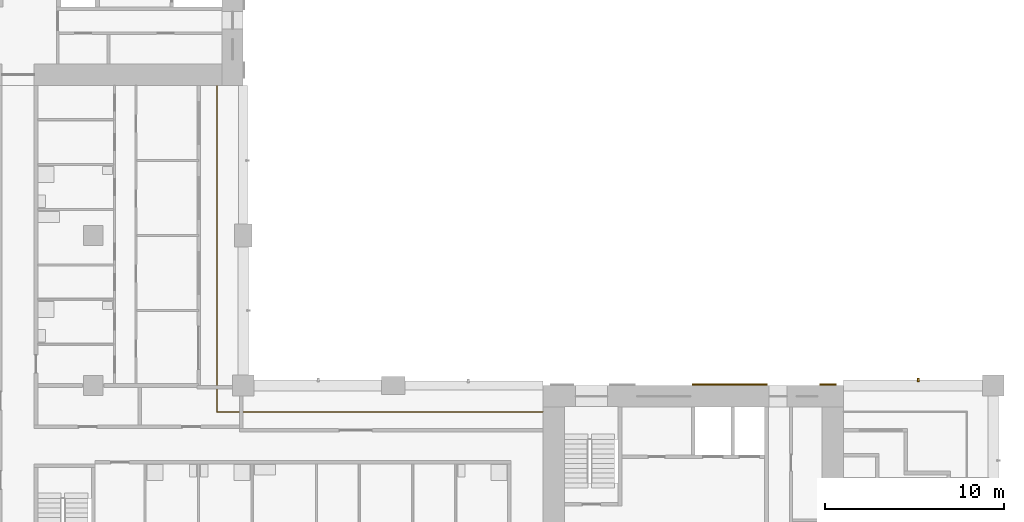
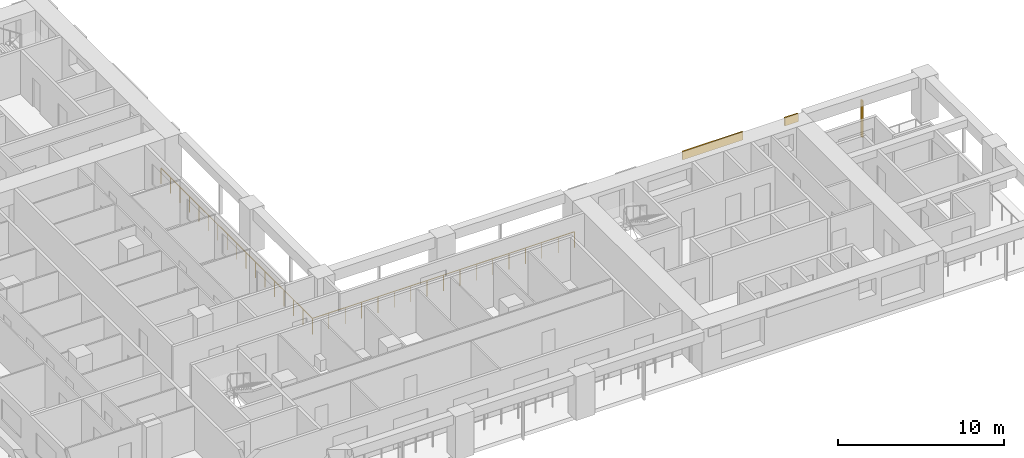
# One storey, part 13 of 16: 3 shading devices, 1 railing.
"""IFC4 building model written with IfcOpenShell, lengths in metres."""

from ifc_helpers import new_model, si_unit, direction, frame, origin, origin_2d, place, context, subcontext, project, spatial, rectangle, circle, extrude, material, layer, layer_set, material_profile, profile_set, type_object, element, save


model = new_model("IFC4")

# Units and contexts
model_context = context("Model", 3, precision=1e-05, world=origin(), true_north=direction((0.0, 1.0)))
body_context = subcontext(model_context, "Body", "Model", "MODEL_VIEW")
ifc_project = project(units=[si_unit("LENGTHUNIT", "METRE"), si_unit("AREAUNIT", "SQUARE_METRE"), si_unit("VOLUMEUNIT", "CUBIC_METRE"), si_unit("PLANEANGLEUNIT", "RADIAN"), si_unit("MASSUNIT", "GRAM", prefix="KILO")], contexts=[model_context])

# Site, building, storey
site_placement = place(None, origin())
site = spatial("IfcSite", under=ifc_project, at=site_placement, CompositionType="ELEMENT")
building_placement = place(site_placement, origin())
building = spatial("IfcBuilding", under=site, at=building_placement, Name="Vermilion Gate Residences", CompositionType="ELEMENT")
storey_placement = place(building_placement, frame((0.0, 0.0, 130.199951171875)))
storey = spatial("IfcBuildingStorey", under=building, at=storey_placement, Name="L33", CompositionType="ELEMENT", Elevation=130.199951171875)

# Railing
ifc_material_1 = material(Name="Stainless steel and toughened glass", Category="steel")
railing_type = type_object("IfcRailingType", Name="LOGGIA GUARD STEEL AND GLASS 1200", PredefinedType="GUARDRAIL", material=ifc_material_1)
railing_placement = place(storey_placement, frame((41.97802734375, 23.72509765625, 0.0)))
element("IfcRailing", 1, at=railing_placement, inside=storey, type_object=railing_type, Name="Loggia guard", PredefinedType="GUARDRAIL", context=body_context, shape_type="SweptSolid", body=[
    extrude(circle(Radius=0.030029296875, at=origin_2d()), frame((0.0, 0.0, 1.169921875), z_axis=(-1.0, 0.0, 0.0), x_axis=(0.0, -1.0, 0.0)), (0.0, 0.0, 1.0), 18.2529296875),
    extrude(circle(Radius=0.030029296875, at=origin_2d()), frame((-18.2529296875, 0.0, 1.169921875), z_axis=(0.0, 1.0, 0.0), x_axis=(-1.0, 0.0, 0.0)), (0.0, 0.0, 1.0), 18.2529296875),
    extrude(circle(Radius=0.02490234375, at=origin_2d()), origin(), (0.0, 0.0, 1.0), 1.139892578125),
    extrude(circle(Radius=0.02490234375, at=origin_2d()), frame((-1.140869140625, 0.0, 0.0)), (0.0, 0.0, 1.0), 1.139892578125),
    extrude(circle(Radius=0.02490234375, at=origin_2d()), frame((-2.28173828125, 0.0, 0.0)), (0.0, 0.0, 1.0), 1.139892578125),
    extrude(circle(Radius=0.02490234375, at=origin_2d()), frame((-3.42236328125, 0.0, 0.0)), (0.0, 0.0, 1.0), 1.139892578125),
    extrude(circle(Radius=0.02490234375, at=origin_2d()), frame((-4.563232421875, 0.0, 0.0)), (0.0, 0.0, 1.0), 1.139892578125),
    extrude(circle(Radius=0.02490234375, at=origin_2d()), frame((-5.7041015625, 0.0, 0.0)), (0.0, 0.0, 1.0), 1.139892578125),
    extrude(circle(Radius=0.02490234375, at=origin_2d()), frame((-6.8447265625, 0.0, 0.0)), (0.0, 0.0, 1.0), 1.139892578125),
    extrude(circle(Radius=0.02490234375, at=origin_2d()), frame((-7.985595703125, 0.0, 0.0)), (0.0, 0.0, 1.0), 1.139892578125),
    extrude(circle(Radius=0.02490234375, at=origin_2d()), frame((-9.12646484375, 0.0, 0.0)), (0.0, 0.0, 1.0), 1.139892578125),
    extrude(circle(Radius=0.02490234375, at=origin_2d()), frame((-10.267333984375, 0.0, 0.0)), (0.0, 0.0, 1.0), 1.139892578125),
    extrude(circle(Radius=0.02490234375, at=origin_2d()), frame((-11.408203125, 0.0, 0.0)), (0.0, 0.0, 1.0), 1.139892578125),
    extrude(circle(Radius=0.02490234375, at=origin_2d()), frame((-12.548828125, 0.0, 0.0)), (0.0, 0.0, 1.0), 1.139892578125),
    extrude(circle(Radius=0.02490234375, at=origin_2d()), frame((-13.689697265625, 0.0, 0.0)), (0.0, 0.0, 1.0), 1.139892578125),
    extrude(circle(Radius=0.02490234375, at=origin_2d()), frame((-14.83056640625, 0.0, 0.0)), (0.0, 0.0, 1.0), 1.139892578125),
    extrude(circle(Radius=0.02490234375, at=origin_2d()), frame((-15.97119140625, 0.0, 0.0)), (0.0, 0.0, 1.0), 1.139892578125),
    extrude(circle(Radius=0.02490234375, at=origin_2d()), frame((-17.112060546875, 0.0, 0.0)), (0.0, 0.0, 1.0), 1.139892578125),
    extrude(circle(Radius=0.02490234375, at=origin_2d()), frame((-18.2529296875, 0.0, 0.0)), (0.0, 0.0, 1.0), 1.139892578125),
    extrude(circle(Radius=0.02490234375, at=origin_2d()), frame((-18.2529296875, 1.140869140625, 0.0)), (0.0, 0.0, 1.0), 1.139892578125),
    extrude(circle(Radius=0.02490234375, at=origin_2d()), frame((-18.2529296875, 2.28173828125, 0.0)), (0.0, 0.0, 1.0), 1.139892578125),
    extrude(circle(Radius=0.02490234375, at=origin_2d()), frame((-18.2529296875, 3.42236328125, 0.0)), (0.0, 0.0, 1.0), 1.139892578125),
    extrude(circle(Radius=0.02490234375, at=origin_2d()), frame((-18.2529296875, 4.563232421875, 0.0)), (0.0, 0.0, 1.0), 1.139892578125),
    extrude(circle(Radius=0.02490234375, at=origin_2d()), frame((-18.2529296875, 5.7041015625, 0.0)), (0.0, 0.0, 1.0), 1.139892578125),
    extrude(circle(Radius=0.02490234375, at=origin_2d()), frame((-18.2529296875, 6.8447265625, 0.0)), (0.0, 0.0, 1.0), 1.139892578125),
    extrude(circle(Radius=0.02490234375, at=origin_2d()), frame((-18.2529296875, 7.985595703125, 0.0)), (0.0, 0.0, 1.0), 1.139892578125),
    extrude(circle(Radius=0.02490234375, at=origin_2d()), frame((-18.2529296875, 9.12646484375, 0.0)), (0.0, 0.0, 1.0), 1.139892578125),
    extrude(circle(Radius=0.02490234375, at=origin_2d()), frame((-18.2529296875, 10.267333984375, 0.0)), (0.0, 0.0, 1.0), 1.139892578125),
    extrude(circle(Radius=0.02490234375, at=origin_2d()), frame((-18.2529296875, 11.408203125, 0.0)), (0.0, 0.0, 1.0), 1.139892578125),
    extrude(circle(Radius=0.02490234375, at=origin_2d()), frame((-18.2529296875, 12.548828125, 0.0)), (0.0, 0.0, 1.0), 1.139892578125),
    extrude(circle(Radius=0.02490234375, at=origin_2d()), frame((-18.2529296875, 13.689697265625, 0.0)), (0.0, 0.0, 1.0), 1.139892578125),
    extrude(circle(Radius=0.02490234375, at=origin_2d()), frame((-18.2529296875, 14.83056640625, 0.0)), (0.0, 0.0, 1.0), 1.139892578125),
    extrude(circle(Radius=0.02490234375, at=origin_2d()), frame((-18.2529296875, 15.97119140625, 0.0)), (0.0, 0.0, 1.0), 1.139892578125),
    extrude(circle(Radius=0.02490234375, at=origin_2d()), frame((-18.2529296875, 17.112060546875, 0.0)), (0.0, 0.0, 1.0), 1.139892578125),
    extrude(circle(Radius=0.02490234375, at=origin_2d()), frame((-18.2529296875, 18.2529296875, 0.0)), (0.0, 0.0, 1.0), 1.139892578125),
])

# Shading devices
ifc_material_2 = material(Name="Extruded terracotta", Category="masonry")
ifc_material_profile = material_profile(ifc_material_2, rectangle(XDim=0.199951171875, YDim=0.10009765625, at=origin_2d()), Name="BAGUETTE 100 X 200")
ifc_profile_set = profile_set([ifc_material_profile], Name="Extruded terracotta")
shading_device_type_1 = type_object("IfcShadingDeviceType", Name="TERRACOTTA BAGUETTE 100 X 200", PredefinedType="JALOUSIE", material=ifc_profile_set)
shading_device_1_placement = place(storey_placement, frame((63.0, 25.5, -0.280029296875), z_axis=(0.0, 0.0, 1.0), x_axis=(0.0, -1.0, 0.0)))
element("IfcShadingDevice", 2, at=shading_device_1_placement, inside=storey, type_object=shading_device_type_1, Name="BAGUETTE", PredefinedType="JALOUSIE", context=body_context, shape_type="SweptSolid", body=[
    extrude(rectangle(XDim=0.199951171875, YDim=0.10009765625, at=origin_2d()), origin(), (0.0, 0.0, 1.0), 2.7001953125),
])
ifc_material_3 = material(Name="Extruded terracotta", Category="masonry")
ifc_layer = layer(ifc_material_3, 0.10009765625)
ifc_layer_set = layer_set([ifc_layer], Name="TERRACOTTA SPANDREL BAND 600 X 100")
shading_device_type_2 = type_object("IfcShadingDeviceType", Name="TERRACOTTA SPANDREL BAND 600 X 100", PredefinedType="USERDEFINED", material=ifc_layer_set)
shading_device_2_placement = place(storey_placement, frame((52.449951171875, 25.25, 2.6201171875), z_axis=(0.0, 0.0, 1.0), x_axis=(1.0, 0.0, 0.0)))
element("IfcShadingDevice", 3, at=shading_device_2_placement, inside=storey, type_object=shading_device_type_2, Name="SPANDREL BAND", ObjectType="BAND", PredefinedType="USERDEFINED", context=body_context, shape_type="SweptSolid", body=[
    extrude(rectangle(XDim=4.199951171875, YDim=0.10009765625, at=origin_2d()), origin(), (0.0, 0.0, 1.0), 0.60009765625),
])
shading_device_3_placement = place(storey_placement, frame((57.9375, 25.25, 2.6201171875), z_axis=(0.0, 0.0, 1.0), x_axis=(1.0, 0.0, 0.0)))
element("IfcShadingDevice", 4, at=shading_device_3_placement, inside=storey, type_object=shading_device_type_2, Name="SPANDREL BAND", ObjectType="BAND", PredefinedType="USERDEFINED", context=body_context, shape_type="SweptSolid", body=[
    extrude(rectangle(XDim=0.925048828125, YDim=0.10009765625, at=origin_2d()), origin(), (0.0, 0.0, 1.0), 0.60009765625),
])

save(model, "model.ifc")
